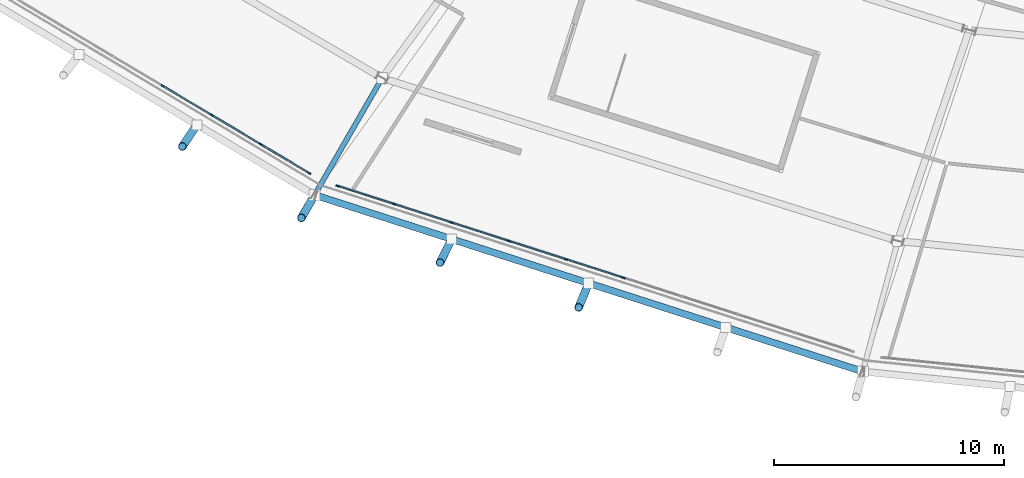
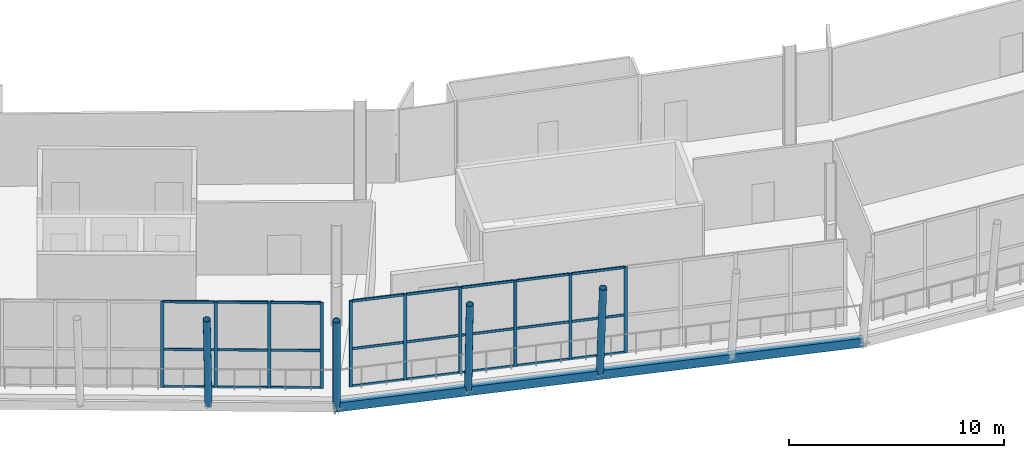
# One storey, part 13 of 99: 38 members, 2 beams, 2 elements without a shape of their own.
"""IFC4 building model written with IfcOpenShell, lengths in metres."""

from ifc_helpers import new_model, si_unit, direction, frame, origin, origin_2d, place, context, subcontext, project, spatial, rectangle, hollow_rectangle, hollow_circle, i_section, extrude, material, material_profile, profile_set, type_object, element, aggregate, save


model = new_model("IFC4")

# Units and contexts
model_context = context("Model", 3, precision=1e-05, world=origin(), true_north=direction((0.0, 1.0)))
body_context = subcontext(model_context, "Body", "Model", "MODEL_VIEW")
ifc_project = project(units=[si_unit("LENGTHUNIT", "METRE"), si_unit("AREAUNIT", "SQUARE_METRE"), si_unit("VOLUMEUNIT", "CUBIC_METRE"), si_unit("PLANEANGLEUNIT", "RADIAN"), si_unit("MASSUNIT", "GRAM", prefix="KILO")], contexts=[model_context])

# Site, building, storey
site_placement = place(None, origin())
site = spatial("IfcSite", under=ifc_project, at=site_placement, CompositionType="ELEMENT")
building_placement = place(site_placement, origin())
building = spatial("IfcBuilding", under=site, at=building_placement, Name="Zlatoyarsky Gate Stadium", CompositionType="ELEMENT")
storey_placement = place(building_placement, frame((0.0, 0.0, 26.199951171875)))
storey = spatial("IfcBuildingStorey", under=building, at=storey_placement, Name="L05", CompositionType="ELEMENT", Elevation=26.199951171875)

# Curtain wall, members
ifc_material_1 = material(Name="Thermally broken anodised aluminium curtain wall", Category="aluminium")
curtain_wall_type = type_object("IfcCurtainWallType", Name="UNITISED SKYBOX RING GLAZING L05", PredefinedType="USERDEFINED", material=ifc_material_1)
curtain_wall_1_placement = place(storey_placement, origin())
curtain_wall_1 = element("IfcCurtainWall", 1, at=curtain_wall_1_placement, inside=storey, type_object=curtain_wall_type, Name="Curtain wall CW-L05-15", ObjectType="UNITISED GLAZING", PredefinedType="USERDEFINED")
ifc_material_2 = material(Name="Anodised aluminium 6063-T6", Category="aluminium")
ifc_material_profile_1 = material_profile(ifc_material_2, rectangle(XDim=0.06494140625, YDim=0.159912109375, at=origin_2d()), Name="ALU 65X160")
ifc_profile_set_1 = profile_set([ifc_material_profile_1], Name="Anodised aluminium 6063-T6")
member_type_1 = type_object("IfcMemberType", Name="ALUMINIUM MULLION 65X160", PredefinedType="MULLION", material=ifc_profile_set_1)
member_1_placement = place(storey_placement, frame((54.947021484375, 18.174072265625, 0.0), z_axis=(0.0, 0.0, 1.0), x_axis=(0.511577166542, 0.859237337802, 0.0)))
member_1 = element("IfcMember", 2, at=member_1_placement, type_object=member_type_1, Name="CW-UG5 mullion 7", PredefinedType="MULLION", context=body_context, shape_type="SweptSolid", body=[
    extrude(rectangle(XDim=0.06494140625, YDim=0.159912109375, at=origin_2d()), origin(), (0.0, 0.0, 1.0), 4.880126953125),
])
member_2_placement = place(storey_placement, frame((57.08203125, 16.90283203125, 0.0), z_axis=(0.0, 0.0, 1.0), x_axis=(0.511577166542, 0.859237337802, 0.0)))
member_2 = element("IfcMember", 3, at=member_2_placement, type_object=member_type_1, Name="CW-UG5 mullion 8", PredefinedType="MULLION", context=body_context, shape_type="SweptSolid", body=[
    extrude(rectangle(XDim=0.06494140625, YDim=0.159912109375, at=origin_2d()), origin(), (0.0, 0.0, 1.0), 4.880126953125),
])
member_3_placement = place(storey_placement, frame((59.21728515625, 15.631591796875, 0.0), z_axis=(0.0, 0.0, 1.0), x_axis=(0.511577166542, 0.859237337802, 0.0)))
member_3 = element("IfcMember", 4, at=member_3_placement, type_object=member_type_1, Name="CW-UG5 mullion 9", PredefinedType="MULLION", context=body_context, shape_type="SweptSolid", body=[
    extrude(rectangle(XDim=0.06494140625, YDim=0.159912109375, at=origin_2d()), origin(), (0.0, 0.0, 1.0), 4.880126953125),
])
member_4_placement = place(storey_placement, frame((61.324462890625, 14.376953125, 0.0), z_axis=(0.0, 0.0, 1.0), x_axis=(0.511577166542, 0.859237337802, 0.0)))
member_4 = element("IfcMember", 5, at=member_4_placement, type_object=member_type_1, Name="CW-UG5 mullion 10", PredefinedType="MULLION", context=body_context, shape_type="SweptSolid", body=[
    extrude(rectangle(XDim=0.06494140625, YDim=0.159912109375, at=origin_2d()), origin(), (0.0, 0.0, 1.0), 4.880126953125),
])

curtain_wall_2_placement = place(storey_placement, origin())
curtain_wall_2 = element("IfcCurtainWall", 6, at=curtain_wall_2_placement, inside=storey, type_object=curtain_wall_type, Name="Curtain wall CW-L05-16", ObjectType="UNITISED GLAZING", PredefinedType="USERDEFINED")
member_5_placement = place(storey_placement, frame((62.560546875, 13.81884765625, 0.0), z_axis=(0.0, 0.0, 1.0), x_axis=(0.305978007283, 0.952038580657, 0.0)))
member_5 = element("IfcMember", 7, at=member_5_placement, type_object=member_type_1, Name="CW-UG5 mullion 1", PredefinedType="MULLION", context=body_context, shape_type="SweptSolid", body=[
    extrude(rectangle(XDim=0.06494140625, YDim=0.159912109375, at=origin_2d()), origin(), (0.0, 0.0, 1.0), 4.880126953125),
])
member_6_placement = place(storey_placement, frame((65.023193359375, 13.027587890625, 0.0), z_axis=(0.0, 0.0, 1.0), x_axis=(0.305978007283, 0.952038580657, 0.0)))
member_6 = element("IfcMember", 8, at=member_6_placement, type_object=member_type_1, Name="CW-UG5 mullion 2", PredefinedType="MULLION", context=body_context, shape_type="SweptSolid", body=[
    extrude(rectangle(XDim=0.06494140625, YDim=0.159912109375, at=origin_2d()), origin(), (0.0, 0.0, 1.0), 4.880126953125),
])
member_7_placement = place(storey_placement, frame((67.5166015625, 12.22607421875, 0.0), z_axis=(0.0, 0.0, 1.0), x_axis=(0.305978007283, 0.952038580657, 0.0)))
member_7 = element("IfcMember", 9, at=member_7_placement, type_object=member_type_1, Name="CW-UG5 mullion 3", PredefinedType="MULLION", context=body_context, shape_type="SweptSolid", body=[
    extrude(rectangle(XDim=0.06494140625, YDim=0.159912109375, at=origin_2d()), origin(), (0.0, 0.0, 1.0), 4.880126953125),
])
member_8_placement = place(storey_placement, frame((70.010009765625, 11.4248046875, 0.0), z_axis=(0.0, 0.0, 1.0), x_axis=(0.305978007283, 0.952038580657, 0.0)))
member_8 = element("IfcMember", 10, at=member_8_placement, type_object=member_type_1, Name="CW-UG5 mullion 4", PredefinedType="MULLION", context=body_context, shape_type="SweptSolid", body=[
    extrude(rectangle(XDim=0.06494140625, YDim=0.159912109375, at=origin_2d()), origin(), (0.0, 0.0, 1.0), 4.880126953125),
])
member_9_placement = place(storey_placement, frame((72.50341796875, 10.623291015625, 0.0), z_axis=(0.0, 0.0, 1.0), x_axis=(0.305978007283, 0.952038580657, 0.0)))
member_9 = element("IfcMember", 11, at=member_9_placement, type_object=member_type_1, Name="CW-UG5 mullion 5", PredefinedType="MULLION", context=body_context, shape_type="SweptSolid", body=[
    extrude(rectangle(XDim=0.06494140625, YDim=0.159912109375, at=origin_2d()), origin(), (0.0, 0.0, 1.0), 4.880126953125),
])
member_10_placement = place(storey_placement, frame((74.9970703125, 9.822021484375, 0.0), z_axis=(0.0, 0.0, 1.0), x_axis=(0.305978007283, 0.952038580657, 0.0)))
member_10 = element("IfcMember", 12, at=member_10_placement, type_object=member_type_1, Name="CW-UG5 mullion 6", PredefinedType="MULLION", context=body_context, shape_type="SweptSolid", body=[
    extrude(rectangle(XDim=0.06494140625, YDim=0.159912109375, at=origin_2d()), origin(), (0.0, 0.0, 1.0), 4.880126953125),
])

# Member
ifc_material_profile_2 = material_profile(ifc_material_2, rectangle(XDim=0.06494140625, YDim=0.139892578125, at=origin_2d()), Name="ALU 65X140")
ifc_profile_set_2 = profile_set([ifc_material_profile_2], Name="Anodised aluminium 6063-T6")
member_type_2 = type_object("IfcMemberType", Name="ALUMINIUM TRANSOM 65X140", PredefinedType="USERDEFINED", material=ifc_profile_set_2)
member_11_placement = place(storey_placement, frame((54.974853515625, 18.157470703125, 0.032470703125), z_axis=(0.859232702525, -0.511584951803, 0.0), x_axis=(0.511584951803, 0.859232702525, 0.0)))
member_11 = element("IfcMember", 13, at=member_11_placement, type_object=member_type_2, Name="CW-UG5 transom 7.1", ObjectType="TRANSOM", PredefinedType="USERDEFINED", context=body_context, shape_type="SweptSolid", body=[
    extrude(rectangle(XDim=0.06494140625, YDim=0.139892578125, at=origin_2d()), origin(), (0.0, 0.0, 1.0), 2.419921875),
])

member_12_placement = place(storey_placement, frame((54.974853515625, 18.157470703125, 2.150146484375), z_axis=(0.859232702525, -0.511584951803, 0.0), x_axis=(0.511584951803, 0.859232702525, 0.0)))
member_12 = element("IfcMember", 14, at=member_12_placement, type_object=member_type_2, Name="CW-UG5 transom 7.2", ObjectType="TRANSOM", PredefinedType="USERDEFINED", context=body_context, shape_type="SweptSolid", body=[
    extrude(rectangle(XDim=0.06494140625, YDim=0.139892578125, at=origin_2d()), origin(), (0.0, 0.0, 1.0), 2.419921875),
])

member_13_placement = place(storey_placement, frame((54.974853515625, 18.157470703125, 4.84765625), z_axis=(0.859232702525, -0.511584951803, 0.0), x_axis=(0.511584951803, 0.859232702525, 0.0)))
member_13 = element("IfcMember", 15, at=member_13_placement, type_object=member_type_2, Name="CW-UG5 transom 7.3", ObjectType="TRANSOM", PredefinedType="USERDEFINED", context=body_context, shape_type="SweptSolid", body=[
    extrude(rectangle(XDim=0.06494140625, YDim=0.139892578125, at=origin_2d()), origin(), (0.0, 0.0, 1.0), 2.419921875),
])

member_14_placement = place(storey_placement, frame((57.110107421875, 16.88623046875, 0.032470703125), z_axis=(0.859206295703, -0.511629300788, 0.0), x_axis=(0.511629300788, 0.859206295703, 0.0)))
member_14 = element("IfcMember", 16, at=member_14_placement, type_object=member_type_2, Name="CW-UG5 transom 8.1", ObjectType="TRANSOM", PredefinedType="USERDEFINED", context=body_context, shape_type="SweptSolid", body=[
    extrude(rectangle(XDim=0.06494140625, YDim=0.139892578125, at=origin_2d()), origin(), (0.0, 0.0, 1.0), 2.419677734375),
])

member_15_placement = place(storey_placement, frame((57.110107421875, 16.88623046875, 2.150146484375), z_axis=(0.859206295703, -0.511629300788, 0.0), x_axis=(0.511629300788, 0.859206295703, 0.0)))
member_15 = element("IfcMember", 17, at=member_15_placement, type_object=member_type_2, Name="CW-UG5 transom 8.2", ObjectType="TRANSOM", PredefinedType="USERDEFINED", context=body_context, shape_type="SweptSolid", body=[
    extrude(rectangle(XDim=0.06494140625, YDim=0.139892578125, at=origin_2d()), origin(), (0.0, 0.0, 1.0), 2.419677734375),
])

member_16_placement = place(storey_placement, frame((57.110107421875, 16.88623046875, 4.84765625), z_axis=(0.859206295703, -0.511629300788, 0.0), x_axis=(0.511629300788, 0.859206295703, 0.0)))
member_16 = element("IfcMember", 18, at=member_16_placement, type_object=member_type_2, Name="CW-UG5 transom 8.3", ObjectType="TRANSOM", PredefinedType="USERDEFINED", context=body_context, shape_type="SweptSolid", body=[
    extrude(rectangle(XDim=0.06494140625, YDim=0.139892578125, at=origin_2d()), origin(), (0.0, 0.0, 1.0), 2.419677734375),
])

member_17_placement = place(storey_placement, frame((59.2451171875, 15.614990234375, 0.032470703125), z_axis=(0.859238307088, -0.511575538541, 0.0), x_axis=(0.511575538541, 0.859238307088, 0.0)))
member_17 = element("IfcMember", 19, at=member_17_placement, type_object=member_type_2, Name="CW-UG5 transom 9.1", ObjectType="TRANSOM", PredefinedType="USERDEFINED", context=body_context, shape_type="SweptSolid", body=[
    extrude(rectangle(XDim=0.06494140625, YDim=0.139892578125, at=origin_2d()), origin(), (0.0, 0.0, 1.0), 2.3876953125),
])

member_18_placement = place(storey_placement, frame((59.2451171875, 15.614990234375, 2.150146484375), z_axis=(0.859238307088, -0.511575538541, 0.0), x_axis=(0.511575538541, 0.859238307088, 0.0)))
member_18 = element("IfcMember", 20, at=member_18_placement, type_object=member_type_2, Name="CW-UG5 transom 9.2", ObjectType="TRANSOM", PredefinedType="USERDEFINED", context=body_context, shape_type="SweptSolid", body=[
    extrude(rectangle(XDim=0.06494140625, YDim=0.139892578125, at=origin_2d()), origin(), (0.0, 0.0, 1.0), 2.3876953125),
])

member_19_placement = place(storey_placement, frame((59.2451171875, 15.614990234375, 4.84765625), z_axis=(0.859238307088, -0.511575538541, 0.0), x_axis=(0.511575538541, 0.859238307088, 0.0)))
member_19 = element("IfcMember", 21, at=member_19_placement, type_object=member_type_2, Name="CW-UG5 transom 9.3", ObjectType="TRANSOM", PredefinedType="USERDEFINED", context=body_context, shape_type="SweptSolid", body=[
    extrude(rectangle(XDim=0.06494140625, YDim=0.139892578125, at=origin_2d()), origin(), (0.0, 0.0, 1.0), 2.3876953125),
])

aggregate(curtain_wall_1, [member_1, member_2, member_3, member_4, member_11, member_12, member_13, member_14, member_15, member_16, member_17, member_18, member_19])

member_20_placement = place(storey_placement, frame((62.591552734375, 13.80908203125, 0.032470703125), z_axis=(0.952017479686, -0.306043654357, 0.0), x_axis=(0.306043654357, 0.952017479686, 0.0)))
member_20 = element("IfcMember", 22, at=member_20_placement, type_object=member_type_2, Name="CW-UG5 transom 1.1", ObjectType="TRANSOM", PredefinedType="USERDEFINED", context=body_context, shape_type="SweptSolid", body=[
    extrude(rectangle(XDim=0.06494140625, YDim=0.139892578125, at=origin_2d()), origin(), (0.0, 0.0, 1.0), 2.521728515625),
])

member_21_placement = place(storey_placement, frame((62.591552734375, 13.80908203125, 2.150146484375), z_axis=(0.952017479686, -0.306043654357, 0.0), x_axis=(0.306043654357, 0.952017479686, 0.0)))
member_21 = element("IfcMember", 23, at=member_21_placement, type_object=member_type_2, Name="CW-UG5 transom 1.2", ObjectType="TRANSOM", PredefinedType="USERDEFINED", context=body_context, shape_type="SweptSolid", body=[
    extrude(rectangle(XDim=0.06494140625, YDim=0.139892578125, at=origin_2d()), origin(), (0.0, 0.0, 1.0), 2.521728515625),
])

member_22_placement = place(storey_placement, frame((62.591552734375, 13.80908203125, 4.84765625), z_axis=(0.952017479686, -0.306043654357, 0.0), x_axis=(0.306043654357, 0.952017479686, 0.0)))
member_22 = element("IfcMember", 24, at=member_22_placement, type_object=member_type_2, Name="CW-UG5 transom 1.3", ObjectType="TRANSOM", PredefinedType="USERDEFINED", context=body_context, shape_type="SweptSolid", body=[
    extrude(rectangle(XDim=0.06494140625, YDim=0.139892578125, at=origin_2d()), origin(), (0.0, 0.0, 1.0), 2.521728515625),
])

member_23_placement = place(storey_placement, frame((65.05419921875, 13.017578125, 0.032470703125), z_axis=(0.952031545133, -0.305999897176, 0.0), x_axis=(0.305999897176, 0.952031545133, 0.0)))
member_23 = element("IfcMember", 25, at=member_23_placement, type_object=member_type_2, Name="CW-UG5 transom 2.1", ObjectType="TRANSOM", PredefinedType="USERDEFINED", context=body_context, shape_type="SweptSolid", body=[
    extrude(rectangle(XDim=0.06494140625, YDim=0.139892578125, at=origin_2d()), origin(), (0.0, 0.0, 1.0), 2.553955078125),
])

member_24_placement = place(storey_placement, frame((65.05419921875, 13.017578125, 2.150146484375), z_axis=(0.952031545133, -0.305999897176, 0.0), x_axis=(0.305999897176, 0.952031545133, 0.0)))
member_24 = element("IfcMember", 26, at=member_24_placement, type_object=member_type_2, Name="CW-UG5 transom 2.2", ObjectType="TRANSOM", PredefinedType="USERDEFINED", context=body_context, shape_type="SweptSolid", body=[
    extrude(rectangle(XDim=0.06494140625, YDim=0.139892578125, at=origin_2d()), origin(), (0.0, 0.0, 1.0), 2.553955078125),
])

member_25_placement = place(storey_placement, frame((65.05419921875, 13.017578125, 4.84765625), z_axis=(0.952031545133, -0.305999897176, 0.0), x_axis=(0.305999897176, 0.952031545133, 0.0)))
member_25 = element("IfcMember", 27, at=member_25_placement, type_object=member_type_2, Name="CW-UG5 transom 2.3", ObjectType="TRANSOM", PredefinedType="USERDEFINED", context=body_context, shape_type="SweptSolid", body=[
    extrude(rectangle(XDim=0.06494140625, YDim=0.139892578125, at=origin_2d()), origin(), (0.0, 0.0, 1.0), 2.553955078125),
])

member_26_placement = place(storey_placement, frame((67.547607421875, 12.21630859375, 0.032470703125), z_axis=(0.952031545133, -0.305999897176, 0.0), x_axis=(0.305999897176, 0.952031545133, 0.0)))
member_26 = element("IfcMember", 28, at=member_26_placement, type_object=member_type_2, Name="CW-UG5 transom 3.1", ObjectType="TRANSOM", PredefinedType="USERDEFINED", context=body_context, shape_type="SweptSolid", body=[
    extrude(rectangle(XDim=0.06494140625, YDim=0.139892578125, at=origin_2d()), origin(), (0.0, 0.0, 1.0), 2.553955078125),
])

member_27_placement = place(storey_placement, frame((67.547607421875, 12.21630859375, 2.150146484375), z_axis=(0.952031545133, -0.305999897176, 0.0), x_axis=(0.305999897176, 0.952031545133, 0.0)))
member_27 = element("IfcMember", 29, at=member_27_placement, type_object=member_type_2, Name="CW-UG5 transom 3.2", ObjectType="TRANSOM", PredefinedType="USERDEFINED", context=body_context, shape_type="SweptSolid", body=[
    extrude(rectangle(XDim=0.06494140625, YDim=0.139892578125, at=origin_2d()), origin(), (0.0, 0.0, 1.0), 2.553955078125),
])

member_28_placement = place(storey_placement, frame((67.547607421875, 12.21630859375, 4.84765625), z_axis=(0.952031545133, -0.305999897176, 0.0), x_axis=(0.305999897176, 0.952031545133, 0.0)))
member_28 = element("IfcMember", 30, at=member_28_placement, type_object=member_type_2, Name="CW-UG5 transom 3.3", ObjectType="TRANSOM", PredefinedType="USERDEFINED", context=body_context, shape_type="SweptSolid", body=[
    extrude(rectangle(XDim=0.06494140625, YDim=0.139892578125, at=origin_2d()), origin(), (0.0, 0.0, 1.0), 2.553955078125),
])

member_29_placement = place(storey_placement, frame((70.041015625, 11.414794921875, 0.032470703125), z_axis=(0.952040495048, -0.305972050667, 0.0), x_axis=(0.305972050667, 0.952040495048, 0.0)))
member_29 = element("IfcMember", 31, at=member_29_placement, type_object=member_type_2, Name="CW-UG5 transom 4.1", ObjectType="TRANSOM", PredefinedType="USERDEFINED", context=body_context, shape_type="SweptSolid", body=[
    extrude(rectangle(XDim=0.06494140625, YDim=0.139892578125, at=origin_2d()), origin(), (0.0, 0.0, 1.0), 2.55419921875),
])

member_30_placement = place(storey_placement, frame((70.041015625, 11.414794921875, 2.150146484375), z_axis=(0.952040495048, -0.305972050667, 0.0), x_axis=(0.305972050667, 0.952040495048, 0.0)))
member_30 = element("IfcMember", 32, at=member_30_placement, type_object=member_type_2, Name="CW-UG5 transom 4.2", ObjectType="TRANSOM", PredefinedType="USERDEFINED", context=body_context, shape_type="SweptSolid", body=[
    extrude(rectangle(XDim=0.06494140625, YDim=0.139892578125, at=origin_2d()), origin(), (0.0, 0.0, 1.0), 2.55419921875),
])

member_31_placement = place(storey_placement, frame((70.041015625, 11.414794921875, 4.84765625), z_axis=(0.952040495048, -0.305972050667, 0.0), x_axis=(0.305972050667, 0.952040495048, 0.0)))
member_31 = element("IfcMember", 33, at=member_31_placement, type_object=member_type_2, Name="CW-UG5 transom 4.3", ObjectType="TRANSOM", PredefinedType="USERDEFINED", context=body_context, shape_type="SweptSolid", body=[
    extrude(rectangle(XDim=0.06494140625, YDim=0.139892578125, at=origin_2d()), origin(), (0.0, 0.0, 1.0), 2.55419921875),
])

member_32_placement = place(storey_placement, frame((72.534423828125, 10.613525390625, 0.032470703125), z_axis=(0.952040495048, -0.305972050667, 0.0), x_axis=(0.305972050667, 0.952040495048, 0.0)))
member_32 = element("IfcMember", 34, at=member_32_placement, type_object=member_type_2, Name="CW-UG5 transom 5.1", ObjectType="TRANSOM", PredefinedType="USERDEFINED", context=body_context, shape_type="SweptSolid", body=[
    extrude(rectangle(XDim=0.06494140625, YDim=0.139892578125, at=origin_2d()), origin(), (0.0, 0.0, 1.0), 2.55419921875),
])

member_33_placement = place(storey_placement, frame((72.534423828125, 10.613525390625, 2.150146484375), z_axis=(0.952040495048, -0.305972050667, 0.0), x_axis=(0.305972050667, 0.952040495048, 0.0)))
member_33 = element("IfcMember", 35, at=member_33_placement, type_object=member_type_2, Name="CW-UG5 transom 5.2", ObjectType="TRANSOM", PredefinedType="USERDEFINED", context=body_context, shape_type="SweptSolid", body=[
    extrude(rectangle(XDim=0.06494140625, YDim=0.139892578125, at=origin_2d()), origin(), (0.0, 0.0, 1.0), 2.55419921875),
])

member_34_placement = place(storey_placement, frame((72.534423828125, 10.613525390625, 4.84765625), z_axis=(0.952040495048, -0.305972050667, 0.0), x_axis=(0.305972050667, 0.952040495048, 0.0)))
member_34 = element("IfcMember", 36, at=member_34_placement, type_object=member_type_2, Name="CW-UG5 transom 5.3", ObjectType="TRANSOM", PredefinedType="USERDEFINED", context=body_context, shape_type="SweptSolid", body=[
    extrude(rectangle(XDim=0.06494140625, YDim=0.139892578125, at=origin_2d()), origin(), (0.0, 0.0, 1.0), 2.55419921875),
])

aggregate(curtain_wall_2, [member_5, member_6, member_7, member_8, member_9, member_10, member_20, member_21, member_22, member_23, member_24, member_25, member_26, member_27, member_28, member_29, member_30, member_31, member_32, member_33, member_34])

# Beam
ifc_material_3 = material(Name="Steel S355", Category="steel")
ifc_material_profile_3 = material_profile(ifc_material_3, i_section(OverallWidth=0.219970703125, OverallDepth=0.60009765625, WebThickness=0.011962890625, FlangeThickness=0.01904296875, FilletRadius=0.02392578125, at=origin_2d()), Name="IPE 600")
ifc_profile_set_3 = profile_set([ifc_material_profile_3], Name="Steel S355")
beam_type_1 = type_object("IfcBeamType", Name="STEEL CANTILEVER FLOOR BEAM IPE 600", PredefinedType="BEAM", material=ifc_profile_set_3)
beam_1_placement = place(storey_placement, frame((64.43994140625, 18.408203125, -0.56005859375), z_axis=(-0.500019739641, -0.866014006798, 0.0), x_axis=(0.866014006798, -0.500019739641, 0.0)))
element("IfcBeam", 37, at=beam_1_placement, inside=storey, type_object=beam_type_1, Name="Beam B-IPE600 BM-L05-OUT-16", PredefinedType="BEAM", context=body_context, shape_type="SweptSolid", body=[
    extrude(i_section(OverallWidth=0.219970703125, OverallDepth=0.60009765625, WebThickness=0.011962890625, FlangeThickness=0.01904296875, FilletRadius=0.02392578125, at=origin_2d()), origin(), (0.0, 0.0, 1.0), 5.758056640625),
])

# Members
ifc_material_profile_4 = material_profile(ifc_material_3, hollow_circle(Radius=0.177734375, WallThickness=0.02001953125, at=origin_2d()), Name="CHS 355.6X20")
ifc_profile_set_4 = profile_set([ifc_material_profile_4], Name="Steel S355")
member_type_3 = type_object("IfcMemberType", Name="STEEL LEANING RIB RING STRUT CHS 355.6X20", PredefinedType="STRUT", material=ifc_profile_set_4)
member_35_placement = place(storey_placement, frame((56.44140625, 16.475830078125, -0.510009765625), z_axis=(-0.109846405539, -0.164473640318, 0.980245983838), x_axis=(0.83158956656, -0.555390666818, 0.0)))
element("IfcMember", 38, at=member_35_placement, inside=storey, type_object=member_type_3, Name="Outward-leaning bowl louvre fin rib L05 15-3", PredefinedType="STRUT", context=body_context, shape_type="SweptSolid", body=[
    extrude(hollow_circle(Radius=0.177734375, WallThickness=0.02001953125, at=origin_2d()), origin(), (0.0, 0.0, 1.0), 5.774169921875),
])
member_36_placement = place(storey_placement, frame((61.560791015625, 13.421630859375, -0.56005859375), z_axis=(-0.098666025445, -0.170926105253, 0.98033121034), x_axis=(0.866065348708, -0.499930806979, 0.0)))
element("IfcMember", 39, at=member_36_placement, inside=storey, type_object=member_type_3, Name="Upper leaning rib ring strut 16", PredefinedType="STRUT", context=body_context, shape_type="SweptSolid", body=[
    extrude(hollow_circle(Radius=0.177734375, WallThickness=0.02001953125, at=origin_2d()), origin(), (0.0, 0.0, 1.0), 5.82470703125),
])
member_37_placement = place(storey_placement, frame((67.522705078125, 11.501708984375, -0.510009765625), z_axis=(-0.087521210893, -0.177410145366, 0.980237562005), x_axis=(0.896808146126, -0.442419652641, 0.0)))
element("IfcMember", 40, at=member_37_placement, inside=storey, type_object=member_type_3, Name="Outward-leaning bowl louvre fin rib L05 16-1", PredefinedType="STRUT", context=body_context, shape_type="SweptSolid", body=[
    extrude(hollow_circle(Radius=0.177734375, WallThickness=0.02001953125, at=origin_2d()), origin(), (0.0, 0.0, 1.0), 5.774169921875),
])
member_38_placement = place(storey_placement, frame((73.484619140625, 9.58154296875, -0.510009765625), z_axis=(-0.075520190109, -0.182373225051, 0.980324797029), x_axis=(0.923917630863, -0.382591441855, 0.0)))
element("IfcMember", 41, at=member_38_placement, inside=storey, type_object=member_type_3, Name="Outward-leaning bowl louvre fin rib L05 16-2", PredefinedType="STRUT", context=body_context, shape_type="SweptSolid", body=[
    extrude(hollow_circle(Radius=0.177734375, WallThickness=0.02001953125, at=origin_2d()), origin(), (0.0, 0.0, 1.0), 5.773681640625),
])

# Beam
ifc_material_profile_5 = material_profile(ifc_material_3, hollow_rectangle(XDim=0.300048828125, YDim=0.5, WallThickness=0.02001953125, at=origin_2d()), Name="RHS 500X300X20")
ifc_profile_set_5 = profile_set([ifc_material_profile_5], Name="Steel S355")
beam_type_2 = type_object("IfcBeamType", Name="STEEL LOUVRE CARRIER SPANDREL RHS 500X300X20", PredefinedType="SPANDREL", material=ifc_profile_set_5)
beam_2_placement = place(storey_placement, frame((61.579833984375, 13.41552734375, -0.510009765625), z_axis=(0.951854958659, -0.306548752528, 0.0), x_axis=(0.306548752528, 0.951854958659, 0.0)))
element("IfcBeam", 42, at=beam_2_placement, inside=storey, type_object=beam_type_2, Name="Beam SP-RHS500 BM-L05-SPD-16", PredefinedType="SPANDREL", context=body_context, shape_type="SweptSolid", body=[
    extrude(hollow_rectangle(XDim=0.300048828125, YDim=0.5, WallThickness=0.02001953125, at=origin_2d()), origin(), (0.0, 0.0, 1.0), 25.013916015625),
])

save(model, "model.ifc")
